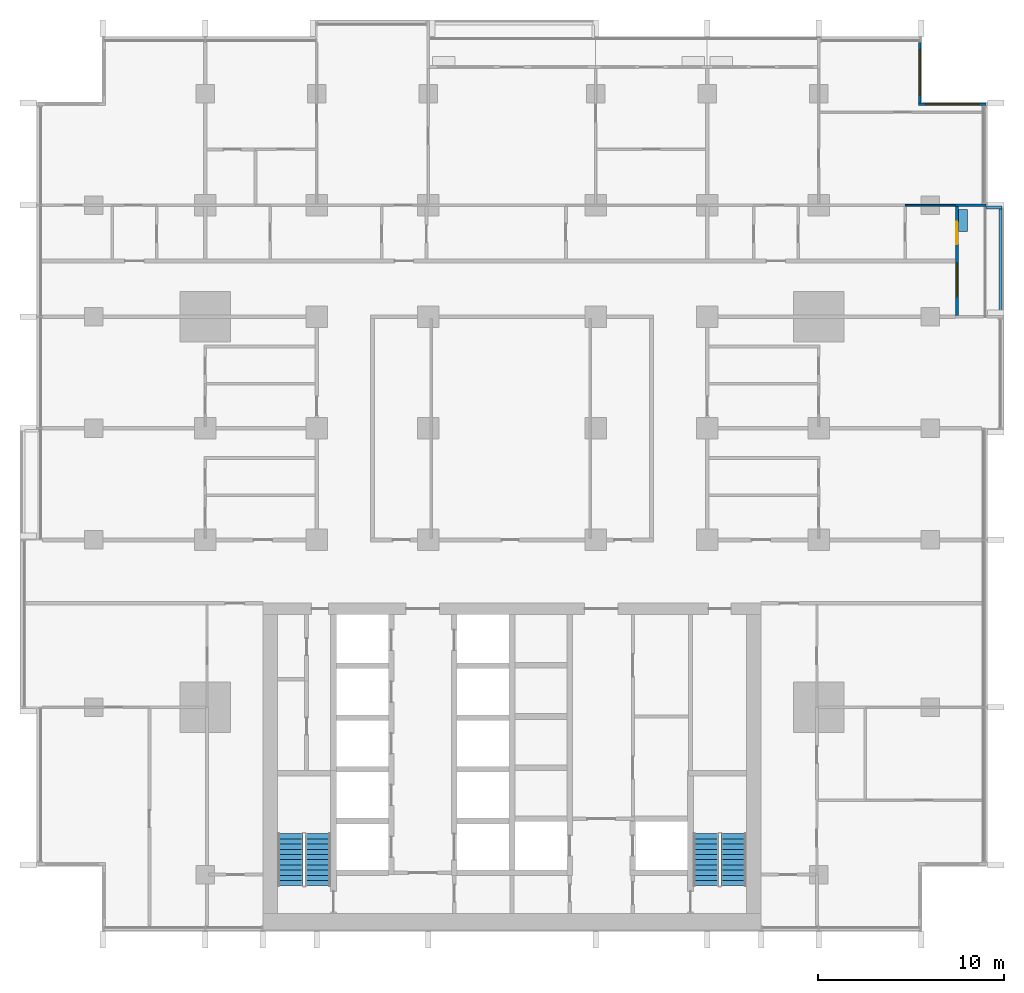
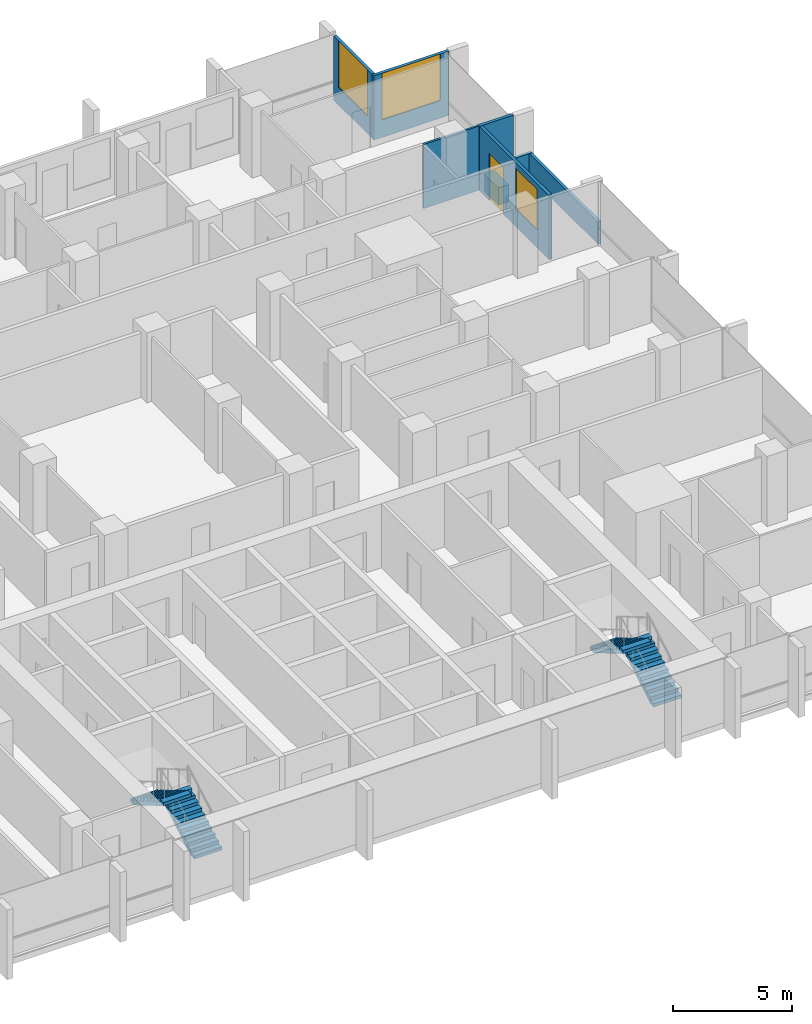
# One storey, part 12 of 17: 8 walls, 4 stair flights, 3 windows, 1 door, 4 openings, 2 elements without a shape of their own.
"""IFC4 building model written with IfcOpenShell, lengths in metres."""

from ifc_helpers import new_model, si_unit, direction, frame, frame_2d, origin, place, context, subcontext, project, spatial, polyline, rectangle, outline, extrude, material, layer, layer_set, type_object, element, fill, aggregate, save


model = new_model("IFC4")

# Units and contexts
model_context = context("Model", 3, precision=1e-05, world=origin(), true_north=direction((0.0, 1.0)))
body_context = subcontext(model_context, "Body", "Model", "MODEL_VIEW")
ifc_project = project(units=[si_unit("LENGTHUNIT", "METRE"), si_unit("AREAUNIT", "SQUARE_METRE"), si_unit("VOLUMEUNIT", "CUBIC_METRE"), si_unit("PLANEANGLEUNIT", "RADIAN"), si_unit("MASSUNIT", "GRAM", prefix="KILO")], contexts=[model_context])

# Site, building, storey
site_placement = place(None, origin())
site = spatial("IfcSite", under=ifc_project, at=site_placement, CompositionType="ELEMENT")
building_placement = place(site_placement, origin())
building = spatial("IfcBuilding", under=site, at=building_placement, Name="Finial Court Residences", CompositionType="ELEMENT")
storey_placement = place(building_placement, frame((0.0, 0.0, 124.300048828125)))
storey = spatial("IfcBuildingStorey", under=building, at=storey_placement, Name="L31", CompositionType="ELEMENT", Elevation=124.300048828125)

# Walls
ifc_material_1 = material(Name="Gypsum board")
ifc_layer_1 = layer(ifc_material_1, 0.012451171875)
ifc_material_2 = material(Name="Mineral wool in light-gauge frame")
ifc_layer_2 = layer(ifc_material_2, 0.074951171875)
ifc_layer_3 = layer(ifc_material_1, 0.012451171875)
ifc_layer_set_1 = layer_set([ifc_layer_1, ifc_layer_2, ifc_layer_3], Name="Gypsum board partition 100")
wall_type_1 = type_object("IfcWallType", Name="Gypsum board partition 100", PredefinedType="PARTITIONING", material=ifc_layer_set_1)
wall_1_placement = place(storey_placement, frame((21.14990234375, 13.5, 0.0), z_axis=(0.0, 0.0, 1.0), x_axis=(1.0, 0.0, 0.0)))
element("IfcWall", 1, at=wall_1_placement, inside=storey, type_object=wall_type_1, Name="Partition L31-032", PredefinedType="PARTITIONING", context=body_context, shape_type="SweptSolid", body=[
    extrude(rectangle(XDim=2.7001953125, YDim=0.10009765625, at=frame_2d((1.35009765625, 0.0))), origin(), (0.0, 0.0, 1.0), 3.300048828125),
])
ifc_material_3 = material(Name="Concrete C35/45", Category="concrete")
ifc_layer_4 = layer(ifc_material_3, 0.14990234375)
ifc_layer_set_2 = layer_set([ifc_layer_4], Name="Ledge parapet, Concrete C35/45 150")
wall_type_2 = type_object("IfcWallType", Name="Ledge parapet, Concrete C35/45 150", PredefinedType="PARAPET", material=ifc_layer_set_2)
wall_2_placement = place(storey_placement, frame((25.510009765625, 13.375, 0.0), z_axis=(0.0, 0.0, 1.0), x_axis=(1.0, 0.0, 0.0)))
element("IfcWall", 2, at=wall_2_placement, inside=storey, type_object=wall_type_2, Name="E-L31-LED2-P1", PredefinedType="PARAPET", context=body_context, shape_type="SweptSolid", body=[
    extrude(rectangle(XDim=0.840087890625, YDim=0.14990234375, at=frame_2d((0.419921875, 0.0))), origin(), (0.0, 0.0, 1.0), 1.14990234375),
])
wall_3_placement = place(storey_placement, frame((26.27490234375, 13.300048828125, 0.0), z_axis=(0.0, 0.0, 1.0), x_axis=(0.0, -1.0, 0.0)))
element("IfcWall", 3, at=wall_3_placement, inside=storey, type_object=wall_type_2, Name="E-L31-LED2-P2", PredefinedType="PARAPET", context=body_context, shape_type="SweptSolid", body=[
    extrude(rectangle(XDim=5.7900390625, YDim=0.14990234375, at=frame_2d((2.89501953125, 0.0))), origin(), (0.0, 0.0, 1.0), 1.14990234375),
])

# Wall, opening, window
ifc_material_4 = material(Name="Natural limestone", Category="masonry")
ifc_layer_5 = layer(ifc_material_4, 0.14990234375)
ifc_layer_set_3 = layer_set([ifc_layer_5], Name="Limestone clad wall 150")
wall_type_3 = type_object("IfcWallType", Name="Limestone clad wall 150", PredefinedType="SOLIDWALL", material=ifc_layer_set_3)
wall_4_placement = place(storey_placement, frame((21.925048828125, 22.25, 0.0), z_axis=(0.0, 0.0, 1.0), x_axis=(0.0, -1.0, 0.0)))
wall_4 = element("IfcWall", 4, at=wall_4_placement, inside=storey, type_object=wall_type_3, Name="E-L31-NWE18", PredefinedType="SOLIDWALL", context=body_context, shape_type="SweptSolid", body=[
    extrude(rectangle(XDim=3.25, YDim=0.14990234375, at=frame_2d((1.625, 0.0))), origin(), (0.0, 0.0, 1.0), 3.300048828125),
])
opening_1_placement = place(wall_4_placement, frame((0.39990234375, 0.0, 0.89990234375)))
opening_1 = element("IfcOpeningElement", 5, at=opening_1_placement, cuts=wall_4, Name="Opening WE31-07", PredefinedType="OPENING", context=body_context, shape_type="SweptSolid", body=[
    extrude(rectangle(XDim=2.449951171875, YDim=2.39990234375, at=frame_2d((1.22509765625, 1.199951171875))), frame((0.0, 0.0849609375, 0.0), z_axis=(0.0, -1.0, 0.0), x_axis=(1.0, 0.0, 0.0)), (0.0, 0.0, 1.0), 0.169921875),
])
ifc_material_5 = material(Name="Clear low-e glass", Category="glass")
window_type_1 = type_object("IfcWindowType", Name="Corner window 2450 x 2400", PartitioningType="SINGLE_PANEL", PredefinedType="WINDOW", material=ifc_material_5)
window_1_placement = place(opening_1_placement, origin())
window_1 = element("IfcWindow", 6, at=window_1_placement, inside=storey, type_object=window_type_1, Name="E-L31-NWE18-W1", OverallHeight=2.39990234375, OverallWidth=2.449951171875, PartitioningType="SINGLE_PANEL", PredefinedType="WINDOW", context=body_context, shape_type="SweptSolid", body=[
    extrude(rectangle(XDim=2.449951171875, YDim=2.39990234375, at=frame_2d((1.22509765625, 1.199951171875))), frame((0.0, 0.030029296875, 0.0), z_axis=(0.0, -1.0, 0.0), x_axis=(1.0, 0.0, 0.0)), (0.0, 0.0, 1.0), 0.06005859375),
])
fill(opening_1, window_1)

wall_5_placement = place(storey_placement, frame((21.85009765625, 18.925048828125, 0.0), z_axis=(0.0, 0.0, 1.0), x_axis=(1.0, 0.0, 0.0)))
wall_5 = element("IfcWall", 7, at=wall_5_placement, inside=storey, type_object=wall_type_3, Name="E-L31-NWN19", PredefinedType="SOLIDWALL", context=body_context, shape_type="SweptSolid", body=[
    extrude(rectangle(XDim=3.64990234375, YDim=0.14990234375, at=frame_2d((1.824951171875, 0.0))), origin(), (0.0, 0.0, 1.0), 3.300048828125),
])
opening_2_placement = place(wall_5_placement, frame((0.39990234375, 0.0, 0.89990234375)))
opening_2 = element("IfcOpeningElement", 8, at=opening_2_placement, cuts=wall_5, Name="Opening WE31-08", PredefinedType="OPENING", context=body_context, shape_type="SweptSolid", body=[
    extrude(rectangle(XDim=2.85009765625, YDim=2.39990234375, at=frame_2d((1.425048828125, 1.199951171875))), frame((0.0, 0.0849609375, 0.0), z_axis=(0.0, -1.0, 0.0), x_axis=(1.0, 0.0, 0.0)), (0.0, 0.0, 1.0), 0.169921875),
])
window_type_2 = type_object("IfcWindowType", Name="Corner window 2850 x 2400", PartitioningType="SINGLE_PANEL", PredefinedType="WINDOW", material=ifc_material_5)
window_2_placement = place(opening_2_placement, origin())
window_2 = element("IfcWindow", 9, at=window_2_placement, inside=storey, type_object=window_type_2, Name="E-L31-NWN19-W1", OverallHeight=2.39990234375, OverallWidth=2.85009765625, PartitioningType="SINGLE_PANEL", PredefinedType="WINDOW", context=body_context, shape_type="SweptSolid", body=[
    extrude(rectangle(XDim=2.85009765625, YDim=2.39990234375, at=frame_2d((1.425048828125, 1.199951171875))), frame((0.0, 0.030029296875, 0.0), z_axis=(0.0, -1.0, 0.0), x_axis=(1.0, 0.0, 0.0)), (0.0, 0.0, 1.0), 0.06005859375),
])
fill(opening_2, window_2)

# Wall
wall_6_placement = place(storey_placement, frame((23.85009765625, 13.5, 0.0), z_axis=(0.0, 0.0, 1.0), x_axis=(1.0, 0.0, 0.0)))
element("IfcWall", 10, at=wall_6_placement, inside=storey, type_object=wall_type_3, Name="E-L31-BALE5-P2", PredefinedType="SOLIDWALL", context=body_context, shape_type="SweptSolid", body=[
    extrude(rectangle(XDim=1.64990234375, YDim=0.14990234375, at=frame_2d((0.824951171875, 0.0))), origin(), (0.0, 0.0, 1.0), 3.300048828125),
])

# Wall, openings, door, window
wall_7_placement = place(storey_placement, frame((23.925048828125, 13.425048828125, 0.0), z_axis=(0.0, 0.0, 1.0), x_axis=(0.0, -1.0, 0.0)))
wall_7 = element("IfcWall", 11, at=wall_7_placement, inside=storey, type_object=wall_type_3, Name="E-L31-L31-BALE5-W", PredefinedType="SOLIDWALL", context=body_context, shape_type="SweptSolid", body=[
    extrude(rectangle(XDim=5.85009765625, YDim=0.14990234375, at=frame_2d((2.925048828125, 0.0))), origin(), (0.0, 0.0, 1.0), 3.300048828125),
])
opening_3_placement = place(wall_7_placement, frame((0.824951171875, 0.0, 0.0)))
opening_3 = element("IfcOpeningElement", 12, at=opening_3_placement, cuts=wall_7, Name="Opening DE31-04", PredefinedType="OPENING", context=body_context, shape_type="SweptSolid", body=[
    extrude(rectangle(XDim=1.199951171875, YDim=2.39990234375, at=frame_2d((0.60009765625, 1.199951171875))), frame((0.0, 0.0849609375, 0.0), z_axis=(0.0, -1.0, 0.0), x_axis=(1.0, 0.0, 0.0)), (0.0, 0.0, 1.0), 0.169921875),
])
opening_4_placement = place(wall_7_placement, frame((3.03759765625, 0.0, 0.89990234375)))
opening_4 = element("IfcOpeningElement", 13, at=opening_4_placement, cuts=wall_7, Name="Opening WE31-15", PredefinedType="OPENING", context=body_context, shape_type="SweptSolid", body=[
    extrude(rectangle(XDim=1.800048828125, YDim=2.10009765625, at=frame_2d((0.89990234375, 1.050048828125))), frame((0.0, 0.0849609375, 0.0), z_axis=(0.0, -1.0, 0.0), x_axis=(1.0, 0.0, 0.0)), (0.0, 0.0, 1.0), 0.169921875),
])
ifc_material_6 = material(Name="Bronze anodised aluminium", Category="aluminium")
door_type = type_object("IfcDoorType", Name="Balcony door 1200 x 2400", OperationType="SINGLE_SWING_LEFT", PredefinedType="DOOR", material=ifc_material_6)
door_placement = place(opening_3_placement, origin())
door = element("IfcDoor", 14, at=door_placement, inside=storey, type_object=door_type, Name="E-L31-L31-BALE5-W-D", OperationType="SINGLE_SWING_RIGHT", OverallHeight=2.39990234375, OverallWidth=1.199951171875, PredefinedType="DOOR", context=body_context, shape_type="SweptSolid", body=[
    extrude(rectangle(XDim=1.199951171875, YDim=2.39990234375, at=frame_2d((0.60009765625, 1.199951171875))), frame((0.0, 0.02490234375, 0.0), z_axis=(0.0, -1.0, 0.0), x_axis=(1.0, 0.0, 0.0)), (0.0, 0.0, 1.0), 0.050048828125),
])
fill(opening_3, door)
window_type_3 = type_object("IfcWindowType", Name="Balcony window 1800 x 2100", PartitioningType="SINGLE_PANEL", PredefinedType="WINDOW", material=ifc_material_5)
window_3_placement = place(opening_4_placement, origin())
window_3 = element("IfcWindow", 15, at=window_3_placement, inside=storey, type_object=window_type_3, Name="E-L31-L31-BALE5-W-W1", OverallHeight=2.10009765625, OverallWidth=1.800048828125, PartitioningType="SINGLE_PANEL", PredefinedType="WINDOW", context=body_context, shape_type="SweptSolid", body=[
    extrude(rectangle(XDim=1.800048828125, YDim=2.10009765625, at=frame_2d((0.89990234375, 1.050048828125))), frame((0.0, 0.030029296875, 0.0), z_axis=(0.0, -1.0, 0.0), x_axis=(1.0, 0.0, 0.0)), (0.0, 0.0, 1.0), 0.06005859375),
])
fill(opening_4, window_3)

# Wall
ifc_material_7 = material(Name="Concrete C40/50", Category="concrete")
ifc_layer_6 = layer(ifc_material_7, 0.10009765625)
ifc_material_8 = material(Name="Planting soil", Category="soil")
ifc_layer_7 = layer(ifc_material_8, 0.300048828125)
ifc_layer_8 = layer(ifc_material_7, 0.10009765625)
ifc_layer_set_4 = layer_set([ifc_layer_6, ifc_layer_7, ifc_layer_8], Name="Planter wall, balcony")
wall_type_4 = type_object("IfcWallType", Name="Planter wall, balcony", PredefinedType="USERDEFINED", material=ifc_layer_set_4)
wall_8_placement = place(storey_placement, frame((24.25, 12.074951171875, 0.0), z_axis=(0.0, 0.0, 1.0), x_axis=(0.0, 1.0, 0.0)))
element("IfcWall", 16, at=wall_8_placement, inside=storey, type_object=wall_type_4, Name="E-L31-BALE5-PL", ObjectType="PLANTER", PredefinedType="USERDEFINED", context=body_context, shape_type="SweptSolid", body=[
    extrude(rectangle(XDim=1.199951171875, YDim=0.5, at=frame_2d((0.60009765625, 0.0))), origin(), (0.0, 0.0, 1.0), 0.89990234375),
])

# Stair, stair flights
ifc_material_9 = material(Name="Concrete C50/60", Category="concrete")
stair_type = type_object("IfcStairType", Name="Exit stair 22 risers of 163.6 mm", PredefinedType="HALF_TURN_STAIR", material=ifc_material_9)
stair_1_placement = place(storey_placement, origin())
stair_1 = element("IfcStair", 17, at=stair_1_placement, inside=storey, type_object=stair_type, Name="L31 Exit stair ST-1", PredefinedType="HALF_TURN_STAIR")
stair_flight_type = type_object("IfcStairFlightType", Name="Exit stair flight", PredefinedType="STRAIGHT", material=ifc_material_9)
stair_flight_1_placement = place(storey_placement, frame((-10.425048828125, -23.10009765625, 0.0), z_axis=(0.0, 0.0, 1.0), x_axis=(0.0, 1.0, 0.0)))
stair_flight_1 = element("IfcStairFlight", 18, at=stair_flight_1_placement, type_object=stair_flight_type, Name="ST-1 flight 1", NumberOfRisers=11, NumberOfTreads=10, PredefinedType="STRAIGHT", RiserHeight=0.163636364, TreadLength=0.28, context=body_context, shape_type="SweptSolid", body=[
    extrude(outline(polyline([(0.0, 0.0), (0.0, 0.16357421875), (0.280029296875, 0.16357421875), (0.280029296875, 0.327392578125), (0.56005859375, 0.327392578125), (0.56005859375, 0.490966796875), (0.840087890625, 0.490966796875), (0.840087890625, 0.654541015625), (1.1201171875, 0.654541015625), (1.1201171875, 0.818115234375), (1.39990234375, 0.818115234375), (1.39990234375, 0.98193359375), (1.679931640625, 0.98193359375), (1.679931640625, 1.1455078125), (1.9599609375, 1.1455078125), (1.9599609375, 1.30908203125), (2.239990234375, 1.30908203125), (2.239990234375, 1.47265625), (2.52001953125, 1.47265625), (2.52001953125, 1.636474609375), (2.800048828125, 1.636474609375), (2.800048828125, 1.800048828125), (2.800048828125, 1.462646484375), (0.297119140625, 0.0), (0.0, 0.0)])), frame((0.0, 0.675048828125, 0.0), z_axis=(0.0, -1.0, 0.0), x_axis=(1.0, 0.0, 0.0)), (0.0, 0.0, 1.0), 1.35009765625),
])
stair_flight_2_placement = place(storey_placement, frame((-11.925048828125, -20.300048828125, 1.800048828125), z_axis=(0.0, 0.0, 1.0), x_axis=(0.0, -1.0, 0.0)))
stair_flight_2 = element("IfcStairFlight", 19, at=stair_flight_2_placement, type_object=stair_flight_type, Name="ST-1 flight 2", NumberOfRisers=11, NumberOfTreads=10, PredefinedType="STRAIGHT", RiserHeight=0.163636364, TreadLength=0.28, context=body_context, shape_type="SweptSolid", body=[
    extrude(outline(polyline([(0.0, 0.0), (0.0, 0.16357421875), (0.280029296875, 0.16357421875), (0.280029296875, 0.327392578125), (0.56005859375, 0.327392578125), (0.56005859375, 0.490966796875), (0.840087890625, 0.490966796875), (0.840087890625, 0.654541015625), (1.1201171875, 0.654541015625), (1.1201171875, 0.818115234375), (1.39990234375, 0.818115234375), (1.39990234375, 0.98193359375), (1.679931640625, 0.98193359375), (1.679931640625, 1.1455078125), (1.9599609375, 1.1455078125), (1.9599609375, 1.30908203125), (2.239990234375, 1.30908203125), (2.239990234375, 1.47265625), (2.52001953125, 1.47265625), (2.52001953125, 1.636474609375), (2.800048828125, 1.636474609375), (2.800048828125, 1.800048828125), (2.800048828125, 1.462646484375), (0.297119140625, 0.0), (0.0, 0.0)])), frame((0.0, 0.675048828125, 0.0), z_axis=(0.0, -1.0, 0.0), x_axis=(1.0, 0.0, 0.0)), (0.0, 0.0, 1.0), 1.35009765625),
])
aggregate(stair_1, [stair_flight_1, stair_flight_2])

stair_2_placement = place(storey_placement, origin())
stair_2 = element("IfcStair", 20, at=stair_2_placement, inside=storey, type_object=stair_type, Name="L31 Exit stair ST-2", PredefinedType="HALF_TURN_STAIR")
stair_flight_3_placement = place(storey_placement, frame((11.925048828125, -23.10009765625, 0.0), z_axis=(0.0, 0.0, 1.0), x_axis=(0.0, 1.0, 0.0)))
stair_flight_3 = element("IfcStairFlight", 21, at=stair_flight_3_placement, type_object=stair_flight_type, Name="ST-2 flight 1", NumberOfRisers=11, NumberOfTreads=10, PredefinedType="STRAIGHT", RiserHeight=0.163636364, TreadLength=0.28, context=body_context, shape_type="SweptSolid", body=[
    extrude(outline(polyline([(0.0, 0.0), (0.0, 0.16357421875), (0.280029296875, 0.16357421875), (0.280029296875, 0.327392578125), (0.56005859375, 0.327392578125), (0.56005859375, 0.490966796875), (0.840087890625, 0.490966796875), (0.840087890625, 0.654541015625), (1.1201171875, 0.654541015625), (1.1201171875, 0.818115234375), (1.39990234375, 0.818115234375), (1.39990234375, 0.98193359375), (1.679931640625, 0.98193359375), (1.679931640625, 1.1455078125), (1.9599609375, 1.1455078125), (1.9599609375, 1.30908203125), (2.239990234375, 1.30908203125), (2.239990234375, 1.47265625), (2.52001953125, 1.47265625), (2.52001953125, 1.636474609375), (2.800048828125, 1.636474609375), (2.800048828125, 1.800048828125), (2.800048828125, 1.462646484375), (0.297119140625, 0.0), (0.0, 0.0)])), frame((0.0, 0.675048828125, 0.0), z_axis=(0.0, -1.0, 0.0), x_axis=(1.0, 0.0, 0.0)), (0.0, 0.0, 1.0), 1.35009765625),
])
stair_flight_4_placement = place(storey_placement, frame((10.425048828125, -20.300048828125, 1.800048828125), z_axis=(0.0, 0.0, 1.0), x_axis=(0.0, -1.0, 0.0)))
stair_flight_4 = element("IfcStairFlight", 22, at=stair_flight_4_placement, type_object=stair_flight_type, Name="ST-2 flight 2", NumberOfRisers=11, NumberOfTreads=10, PredefinedType="STRAIGHT", RiserHeight=0.163636364, TreadLength=0.28, context=body_context, shape_type="SweptSolid", body=[
    extrude(outline(polyline([(0.0, 0.0), (0.0, 0.16357421875), (0.280029296875, 0.16357421875), (0.280029296875, 0.327392578125), (0.56005859375, 0.327392578125), (0.56005859375, 0.490966796875), (0.840087890625, 0.490966796875), (0.840087890625, 0.654541015625), (1.1201171875, 0.654541015625), (1.1201171875, 0.818115234375), (1.39990234375, 0.818115234375), (1.39990234375, 0.98193359375), (1.679931640625, 0.98193359375), (1.679931640625, 1.1455078125), (1.9599609375, 1.1455078125), (1.9599609375, 1.30908203125), (2.239990234375, 1.30908203125), (2.239990234375, 1.47265625), (2.52001953125, 1.47265625), (2.52001953125, 1.636474609375), (2.800048828125, 1.636474609375), (2.800048828125, 1.800048828125), (2.800048828125, 1.462646484375), (0.297119140625, 0.0), (0.0, 0.0)])), frame((0.0, 0.675048828125, 0.0), z_axis=(0.0, -1.0, 0.0), x_axis=(1.0, 0.0, 0.0)), (0.0, 0.0, 1.0), 1.35009765625),
])
aggregate(stair_2, [stair_flight_3, stair_flight_4])

save(model, "model.ifc")
